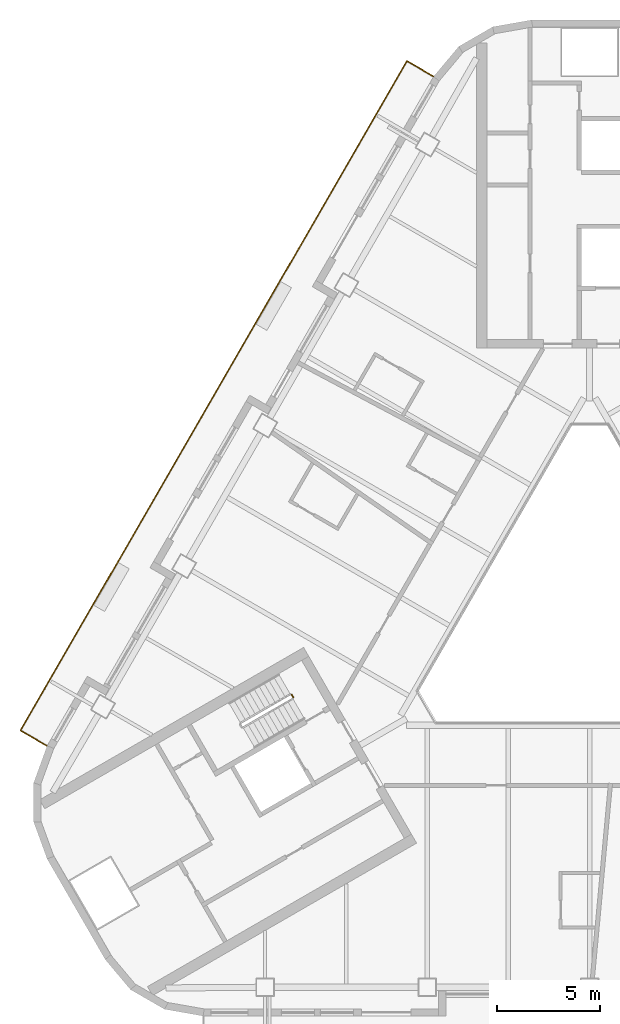
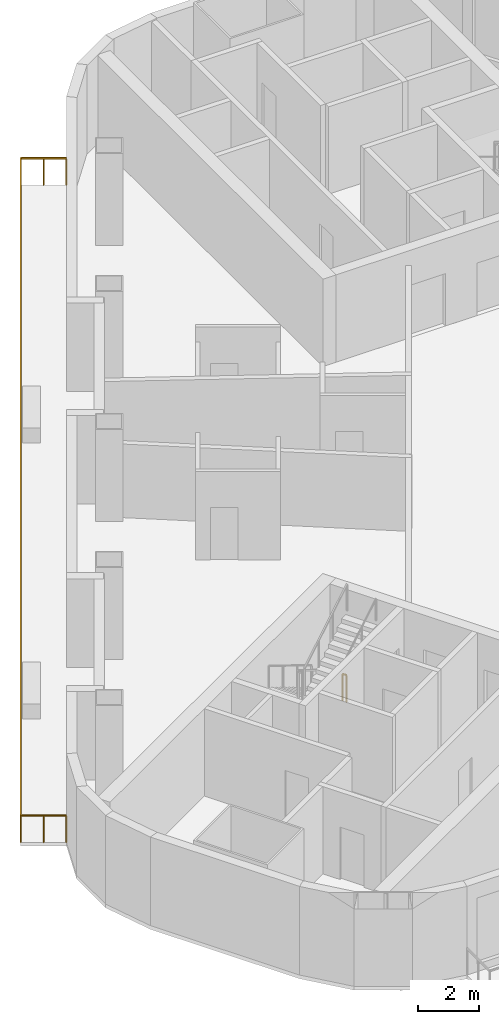
# One storey, part 10 of 13: 2 railings.
"""IFC4 building model written with IfcOpenShell, lengths in metres."""

import ifcopenshell
import ifcopenshell.guid

model = None  # the IFC model being written
_history = None  # IfcOwnerHistory: only IFC2X3 demands one
_inside = {}  # id of a spatial element -> (the spatial element, [elements in it])
_under = {}  # id of a project, library or spatial element -> (it, [spatial elements below it])
_declared = {}  # id of a project -> (the project, [libraries it declares])
_typed = {}  # id of a type object -> (the type object, [elements of that type])
_made_of = {}  # id of a material, layer set ... -> (it, [elements and type objects made of it])


def new_model(schema):
    """Start an empty IFC model of exactly this schema.

    Asked for "IFC4X3", IfcOpenShell would pick the latest addendum, in which some entities
    have other attributes; the version numbers below select the first issue.
    IFC2X3 requires an IfcOwnerHistory on every rooted entity: one is made here for all.
    """
    global model, _history
    if schema == "IFC4X3":
        model = ifcopenshell.file(schema_version=(4, 3, 0, 0))
    else:
        model = ifcopenshell.file(schema=schema)
    _inside.clear()
    _under.clear()
    _declared.clear()
    _typed.clear()
    _made_of.clear()
    _history = None
    if model.schema == "IFC2X3":
        org = make("IfcOrganization", Name="unknown")
        user = make(
            "IfcPersonAndOrganization",
            ThePerson=make("IfcPerson", FamilyName="unknown"),
            TheOrganization=org,
        )
        app = make(
            "IfcApplication",
            ApplicationDeveloper=org,
            Version="unknown",
            ApplicationFullName="unknown",
            ApplicationIdentifier="unknown",
        )
        _history = make(
            "IfcOwnerHistory",
            OwningUser=user,
            OwningApplication=app,
            ChangeAction="ADDED",
            CreationDate=0,
        )
    return model


def make(cls, **values):
    """One entity of the class cls with the attributes given. An attribute that is None is left unset."""
    return model.create_entity(
        cls, **{name: value for name, value in values.items() if value is not None}
    )


def rooted(cls, **values):
    """An entity with a GlobalId (a new one), such as an element, a storey or a relation."""
    return make(cls, GlobalId=ifcopenshell.guid.new(), OwnerHistory=_history, **values)


def si_unit(unit_type, name, prefix=None):
    """IfcSIUnit, for example si_unit("LENGTHUNIT", "METRE", prefix="MILLI")."""
    return make("IfcSIUnit", UnitType=unit_type, Prefix=prefix, Name=name)


def assignment(units):
    """IfcUnitAssignment: the units of a project."""
    return None if units is None else make("IfcUnitAssignment", Units=units)


def point(xyz):
    """IfcCartesianPoint."""
    return None if xyz is None else make("IfcCartesianPoint", Coordinates=xyz)


def direction(xyz):
    """IfcDirection."""
    return None if xyz is None else make("IfcDirection", DirectionRatios=xyz)


def frame(location, z_axis=None, x_axis=None):
    """IfcAxis2Placement3D, a coordinate frame: its origin and axes. An axis left out is left unset."""
    return make(
        "IfcAxis2Placement3D",
        Location=point(location),
        Axis=direction(z_axis),
        RefDirection=direction(x_axis),
    )


def frame_2d(location, x_axis=None):
    """IfcAxis2Placement2D, a coordinate frame in the plane: its origin and x axis."""
    return make(
        "IfcAxis2Placement2D", Location=point(location), RefDirection=direction(x_axis)
    )


def origin():
    """The frame at (0, 0, 0) with its axes left unset."""
    return frame((0.0, 0.0, 0.0))


def origin_2d():
    """The frame at (0, 0) in the plane with its x axis left unset."""
    return frame_2d((0.0, 0.0))


def place(relative_to, where):
    """IfcLocalPlacement: puts the frame where relative to a parent placement (None: the world)."""
    return make(
        "IfcLocalPlacement", PlacementRelTo=relative_to, RelativePlacement=where
    )


def context(
    kind, dimensions, precision=None, world=None, true_north=None, identifier=None
):
    """IfcGeometricRepresentationContext, for example the 3D "Model" context."""
    return make(
        "IfcGeometricRepresentationContext",
        ContextIdentifier=identifier,
        ContextType=kind,
        CoordinateSpaceDimension=dimensions,
        Precision=precision,
        WorldCoordinateSystem=world,
        TrueNorth=true_north,
    )


def subcontext(parent, identifier, kind, view, scale=None):
    """IfcGeometricRepresentationSubContext, for example "Body" below "Model"."""
    return make(
        "IfcGeometricRepresentationSubContext",
        ContextIdentifier=identifier,
        ContextType=kind,
        ParentContext=parent,
        TargetScale=scale,
        TargetView=view,
    )


def project(units=None, contexts=None):
    """IfcProject with its units and contexts."""
    return rooted(
        "IfcProject",
        Name="project",
        RepresentationContexts=contexts,
        UnitsInContext=assignment(units),
    )


def spatial(cls, under=None, at=None, **own):
    """A site, building, storey or space (cls), placed at a placement, below another one or the project."""
    s = rooted(cls, ObjectPlacement=at, **own)
    if under is not None:
        _under.setdefault(under.id(), (under, []))[1].append(s)
    return s


def profile(cls, at=None, kind="AREA", **sizes):
    """A parametric profile (cls). Its sizes go by their IFC names, for example OverallWidth=200.0."""
    return make(cls, ProfileType=kind, Position=at, **sizes)


def rectangle(**sizes):
    """IfcRectangleProfileDef."""
    return profile("IfcRectangleProfileDef", **sizes)


def extrude(swept, where, along, depth):
    """IfcExtrudedAreaSolid: the profile swept, set in the frame where, extruded along a direction by depth."""
    return make(
        "IfcExtrudedAreaSolid",
        SweptArea=swept,
        Position=where,
        ExtrudedDirection=direction(along),
        Depth=depth,
    )


def shape(context_of_items, identifier, shape_type, items):
    """IfcShapeRepresentation: the items that make up one representation, for example the "Body"."""
    return make(
        "IfcShapeRepresentation",
        ContextOfItems=context_of_items,
        RepresentationIdentifier=identifier,
        RepresentationType=shape_type,
        Items=items,
    )


def material(Name=None, Category=None):
    """IfcMaterial."""
    return make("IfcMaterial", Name=Name, Category=Category)


def made_of(thing, what):
    """Note that an element or type object is made of a material, layer set ...; save() writes the relation."""
    if what is not None:
        _made_of.setdefault(what.id(), (what, []))[1].append(thing)
    return thing


def type_object(cls, material=None, **own):
    """A type object (cls), such as IfcWallType, which elements share."""
    return made_of(rooted(cls, **own), material)


def element(
    cls,
    number,
    at=None,
    inside=None,
    cuts=None,
    type_object=None,
    material=None,
    context=None,
    identifier="Body",
    shape_type=None,
    held_by="IfcProductDefinitionShape",
    body=None,
    shapes=None,
    **own,
):
    """One element of the class cls, such as IfcWall. Its Tag is "e" and its number.

    at: its placement. inside: the storey or other place that contains it. cuts: it is an
    opening in that element (IfcRelVoidsElement). A single representation is given by context,
    identifier, shape_type and body (its items); several are given by shapes. held_by: the class
    of the entity that holds the representations. save() writes the other relations.
    """
    e = rooted(cls, Tag="e%d" % number, ObjectPlacement=at, **own)
    if body is not None:
        shapes = [shape(context, identifier, shape_type, body)]
    if shapes is not None:
        e.Representation = make(held_by, Representations=shapes)
    if inside is not None:
        _inside.setdefault(inside.id(), (inside, []))[1].append(e)
    if cuts is not None:
        rooted(
            "IfcRelVoidsElement", RelatingBuildingElement=cuts, RelatedOpeningElement=e
        )
    if type_object is not None:
        _typed.setdefault(type_object.id(), (type_object, []))[1].append(e)
    return made_of(e, material)


def aggregate(whole, parts):
    """IfcRelAggregates: a whole, such as a stair, and the parts it consists of."""
    return rooted("IfcRelAggregates", RelatingObject=whole, RelatedObjects=parts)


def save(model, path):
    """Write the relations noted so far, then the file.

    IfcRelAggregates (storeys below a building ...), IfcRelContainedInSpatialStructure (elements
    in a storey), IfcRelDefinesByType, IfcRelAssociatesMaterial and IfcRelDeclares: one each for
    every whole, place, type object, material and project.
    """
    for whole, parts in _under.values():
        aggregate(whole, parts)
    for where, things in _inside.values():
        rooted(
            "IfcRelContainedInSpatialStructure",
            RelatedElements=things,
            RelatingStructure=where,
        )
    for kind, things in _typed.values():
        rooted("IfcRelDefinesByType", RelatedObjects=things, RelatingType=kind)
    for what, things in _made_of.values():
        rooted("IfcRelAssociatesMaterial", RelatedObjects=things, RelatingMaterial=what)
    for by, libraries in _declared.values():
        rooted("IfcRelDeclares", RelatingContext=by, RelatedDefinitions=libraries)
    model.write(path)


model = new_model("IFC4")

# Units and contexts
model_context = context("Model", 3, precision=1e-05, world=origin(), true_north=direction((0.0, 1.0)))
body_context = subcontext(model_context, "Body", "Model", "MODEL_VIEW")
ifc_project = project(units=[si_unit("LENGTHUNIT", "METRE"), si_unit("AREAUNIT", "SQUARE_METRE"), si_unit("VOLUMEUNIT", "CUBIC_METRE"), si_unit("PLANEANGLEUNIT", "RADIAN"), si_unit("MASSUNIT", "GRAM", prefix="KILO")], contexts=[model_context])

# Site, building, storey
site_placement = place(None, origin())
site = spatial("IfcSite", under=ifc_project, at=site_placement, CompositionType="ELEMENT")
building_placement = place(site_placement, origin())
building = spatial("IfcBuilding", under=site, at=building_placement, Name="Apuvela Tower Hotel", CompositionType="ELEMENT")
storey_placement = place(building_placement, frame((0.0, 0.0, 124.199951171875)))
storey = spatial("IfcBuildingStorey", under=building, at=storey_placement, Name="L29", CompositionType="ELEMENT", Elevation=124.199951171875)

# Railings
ifc_material_1 = material(Name="Steel S275 balustrade", Category="steel")
railing_type_1 = type_object("IfcRailingType", Name="COR-GUARD-1100", PredefinedType="GUARDRAIL", material=ifc_material_1)
railing_1_placement = place(storey_placement, frame((-14.500732421875, -3.984130859375, 0.0)))
element("IfcRailing", 1, at=railing_1_placement, inside=storey, type_object=railing_type_1, Name="L29 ST2 stair guard 4", PredefinedType="GUARDRAIL", context=body_context, shape_type="SweptSolid", body=[
    extrude(rectangle(XDim=0.048095703125, YDim=0.048095703125, at=origin_2d()), frame((0.0, 0.0, 1.076171875), z_axis=(0.499816412211, -0.866131372301, 0.0), x_axis=(0.866131372301, 0.499816412211, 0.0)), (0.0, 0.0, 1.0), 0.14990234375),
    extrude(rectangle(XDim=0.0419921875, YDim=0.0419921875, at=origin_2d()), origin(), (0.0, 0.0, 1.0), 1.052001953125),
    extrude(rectangle(XDim=0.0419921875, YDim=0.0419921875, at=origin_2d()), frame((0.074951171875, -0.1298828125, 0.0)), (0.0, 0.0, 1.0), 1.052001953125),
])
ifc_material_2 = material(Name="Stainless steel 316 rail with laminated glass infill", Category="steel")
railing_type_2 = type_object("IfcRailingType", Name="ENV-GUARD-1100", PredefinedType="GUARDRAIL", material=ifc_material_2)
railing_2_placement = place(storey_placement, frame((-7.59228515625, 26.110107421875, 0.0)))
element("IfcRailing", 2, at=railing_2_placement, inside=storey, type_object=railing_type_2, Name="Balcony guard NW L29", PredefinedType="GUARDRAIL", context=body_context, shape_type="SweptSolid", body=[
    extrude(rectangle(XDim=0.050048828125, YDim=0.050048828125, at=origin_2d()), frame((0.0, 0.0, 1.0751953125), z_axis=(-0.86599040064, 0.500060622324, 0.0), x_axis=(-0.500060622324, -0.86599040064, 0.0)), (0.0, 0.0, 1.0), 1.499755859375),
    extrude(rectangle(XDim=0.050048828125, YDim=0.050048828125, at=origin_2d()), frame((-1.298828125, 0.75, 1.0751953125), z_axis=(-0.500000437506, -0.86602515119, 0.0), x_axis=(0.86602515119, -0.500000437506, 0.0)), (0.0, 0.0, 1.0), 37.6318359375),
    extrude(rectangle(XDim=0.050048828125, YDim=0.050048828125, at=origin_2d()), frame((-20.11474609375, -31.840087890625, 1.0751953125), z_axis=(0.866031096941, -0.499990139034, 0.0), x_axis=(0.499990139034, 0.866031096941, 0.0)), (0.0, 0.0, 1.0), 1.5),
    extrude(rectangle(XDim=0.0400390625, YDim=0.0400390625, at=origin_2d()), origin(), (0.0, 0.0, 1.0), 1.050048828125),
    extrude(rectangle(XDim=0.0400390625, YDim=0.0400390625, at=origin_2d()), frame((-0.6494140625, 0.375, 0.0)), (0.0, 0.0, 1.0), 1.050048828125),
    extrude(rectangle(XDim=0.0400390625, YDim=0.0400390625, at=origin_2d()), frame((-1.298828125, 0.75, 0.0)), (0.0, 0.0, 1.0), 1.050048828125),
    extrude(rectangle(XDim=0.0400390625, YDim=0.0400390625, at=origin_2d()), frame((-1.88671875, -0.2685546875, 0.0)), (0.0, 0.0, 1.0), 1.050048828125),
    extrude(rectangle(XDim=0.0400390625, YDim=0.0400390625, at=origin_2d()), frame((-2.474853515625, -1.286865234375, 0.0)), (0.0, 0.0, 1.0), 1.050048828125),
    extrude(rectangle(XDim=0.0400390625, YDim=0.0400390625, at=origin_2d()), frame((-3.062744140625, -2.305419921875, 0.0)), (0.0, 0.0, 1.0), 1.050048828125),
    extrude(rectangle(XDim=0.0400390625, YDim=0.0400390625, at=origin_2d()), frame((-3.65087890625, -3.32373046875, 0.0)), (0.0, 0.0, 1.0), 1.050048828125),
    extrude(rectangle(XDim=0.0400390625, YDim=0.0400390625, at=origin_2d()), frame((-4.23876953125, -4.34228515625, 0.0)), (0.0, 0.0, 1.0), 1.050048828125),
    extrude(rectangle(XDim=0.0400390625, YDim=0.0400390625, at=origin_2d()), frame((-4.826904296875, -5.360595703125, 0.0)), (0.0, 0.0, 1.0), 1.050048828125),
    extrude(rectangle(XDim=0.0400390625, YDim=0.0400390625, at=origin_2d()), frame((-5.414794921875, -6.379150390625, 0.0)), (0.0, 0.0, 1.0), 1.050048828125),
    extrude(rectangle(XDim=0.0400390625, YDim=0.0400390625, at=origin_2d()), frame((-6.0029296875, -7.3974609375, 0.0)), (0.0, 0.0, 1.0), 1.050048828125),
    extrude(rectangle(XDim=0.0400390625, YDim=0.0400390625, at=origin_2d()), frame((-6.5908203125, -8.416015625, 0.0)), (0.0, 0.0, 1.0), 1.050048828125),
    extrude(rectangle(XDim=0.0400390625, YDim=0.0400390625, at=origin_2d()), frame((-7.1787109375, -9.434326171875, 0.0)), (0.0, 0.0, 1.0), 1.050048828125),
    extrude(rectangle(XDim=0.0400390625, YDim=0.0400390625, at=origin_2d()), frame((-7.766845703125, -10.452880859375, 0.0)), (0.0, 0.0, 1.0), 1.050048828125),
    extrude(rectangle(XDim=0.0400390625, YDim=0.0400390625, at=origin_2d()), frame((-8.354736328125, -11.47119140625, 0.0)), (0.0, 0.0, 1.0), 1.050048828125),
    extrude(rectangle(XDim=0.0400390625, YDim=0.0400390625, at=origin_2d()), frame((-8.94287109375, -12.48974609375, 0.0)), (0.0, 0.0, 1.0), 1.050048828125),
    extrude(rectangle(XDim=0.0400390625, YDim=0.0400390625, at=origin_2d()), frame((-9.53076171875, -13.508056640625, 0.0)), (0.0, 0.0, 1.0), 1.050048828125),
    extrude(rectangle(XDim=0.0400390625, YDim=0.0400390625, at=origin_2d()), frame((-10.118896484375, -14.526611328125, 0.0)), (0.0, 0.0, 1.0), 1.050048828125),
    extrude(rectangle(XDim=0.0400390625, YDim=0.0400390625, at=origin_2d()), frame((-10.706787109375, -15.544921875, 0.0)), (0.0, 0.0, 1.0), 1.050048828125),
    extrude(rectangle(XDim=0.0400390625, YDim=0.0400390625, at=origin_2d()), frame((-11.294677734375, -16.5634765625, 0.0)), (0.0, 0.0, 1.0), 1.050048828125),
    extrude(rectangle(XDim=0.0400390625, YDim=0.0400390625, at=origin_2d()), frame((-11.8828125, -17.58203125, 0.0)), (0.0, 0.0, 1.0), 1.050048828125),
    extrude(rectangle(XDim=0.0400390625, YDim=0.0400390625, at=origin_2d()), frame((-12.470703125, -18.600341796875, 0.0)), (0.0, 0.0, 1.0), 1.050048828125),
    extrude(rectangle(XDim=0.0400390625, YDim=0.0400390625, at=origin_2d()), frame((-13.058837890625, -19.618896484375, 0.0)), (0.0, 0.0, 1.0), 1.050048828125),
    extrude(rectangle(XDim=0.0400390625, YDim=0.0400390625, at=origin_2d()), frame((-13.646728515625, -20.63720703125, 0.0)), (0.0, 0.0, 1.0), 1.050048828125),
    extrude(rectangle(XDim=0.0400390625, YDim=0.0400390625, at=origin_2d()), frame((-14.23486328125, -21.65576171875, 0.0)), (0.0, 0.0, 1.0), 1.050048828125),
    extrude(rectangle(XDim=0.0400390625, YDim=0.0400390625, at=origin_2d()), frame((-14.82275390625, -22.674072265625, 0.0)), (0.0, 0.0, 1.0), 1.050048828125),
    extrude(rectangle(XDim=0.0400390625, YDim=0.0400390625, at=origin_2d()), frame((-15.41064453125, -23.692626953125, 0.0)), (0.0, 0.0, 1.0), 1.050048828125),
    extrude(rectangle(XDim=0.0400390625, YDim=0.0400390625, at=origin_2d()), frame((-15.998779296875, -24.7109375, 0.0)), (0.0, 0.0, 1.0), 1.050048828125),
    extrude(rectangle(XDim=0.0400390625, YDim=0.0400390625, at=origin_2d()), frame((-16.586669921875, -25.7294921875, 0.0)), (0.0, 0.0, 1.0), 1.050048828125),
    extrude(rectangle(XDim=0.0400390625, YDim=0.0400390625, at=origin_2d()), frame((-17.1748046875, -26.747802734375, 0.0)), (0.0, 0.0, 1.0), 1.050048828125),
    extrude(rectangle(XDim=0.0400390625, YDim=0.0400390625, at=origin_2d()), frame((-17.7626953125, -27.766357421875, 0.0)), (0.0, 0.0, 1.0), 1.050048828125),
    extrude(rectangle(XDim=0.0400390625, YDim=0.0400390625, at=origin_2d()), frame((-18.350830078125, -28.78466796875, 0.0)), (0.0, 0.0, 1.0), 1.050048828125),
    extrude(rectangle(XDim=0.0400390625, YDim=0.0400390625, at=origin_2d()), frame((-18.938720703125, -29.80322265625, 0.0)), (0.0, 0.0, 1.0), 1.050048828125),
    extrude(rectangle(XDim=0.0400390625, YDim=0.0400390625, at=origin_2d()), frame((-19.52685546875, -30.821533203125, 0.0)), (0.0, 0.0, 1.0), 1.050048828125),
    extrude(rectangle(XDim=0.0400390625, YDim=0.0400390625, at=origin_2d()), frame((-20.11474609375, -31.840087890625, 0.0)), (0.0, 0.0, 1.0), 1.050048828125),
    extrude(rectangle(XDim=0.0400390625, YDim=0.0400390625, at=origin_2d()), frame((-19.46533203125, -32.215087890625, 0.0)), (0.0, 0.0, 1.0), 1.050048828125),
    extrude(rectangle(XDim=0.0400390625, YDim=0.0400390625, at=origin_2d()), frame((-18.815673828125, -32.590087890625, 0.0)), (0.0, 0.0, 1.0), 1.050048828125),
])

save(model, "model.ifc")
